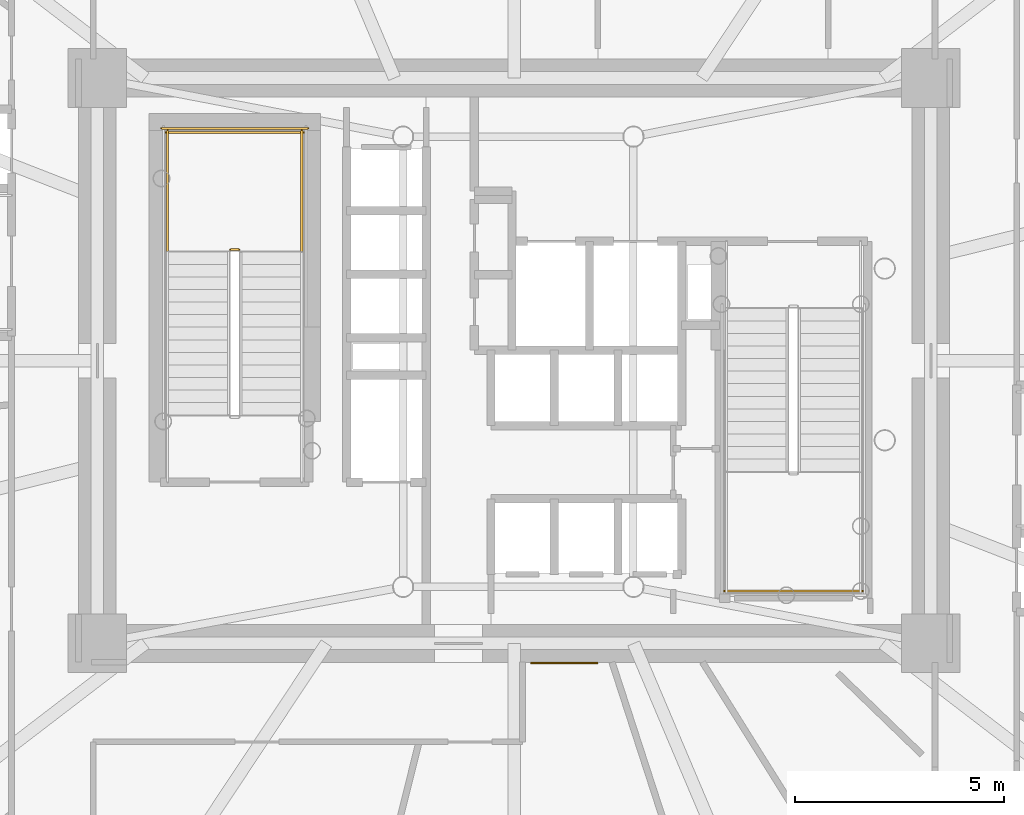
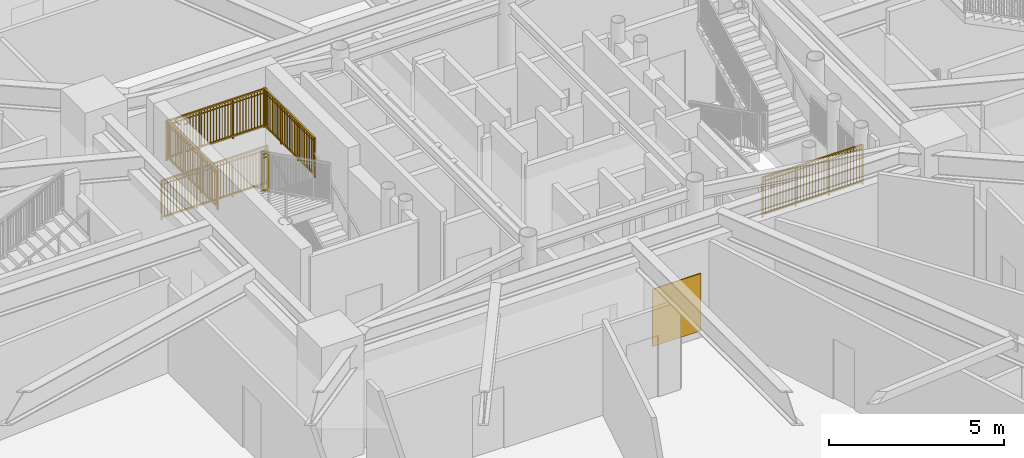
# One storey, part 24 of 30: 6 railings, 1 covering.
"""IFC4 building model written with IfcOpenShell, lengths in metres."""

from ifc_helpers import new_model, si_unit, direction, frame, origin, origin_2d, place, context, subcontext, project, spatial, rectangle, extrude, source, transform, mapped, material, layer, layer_set, type_object, element, save


model = new_model("IFC4")

# Units and contexts
model_context = context("Model", 3, precision=1e-05, world=origin(), true_north=direction((0.0, 1.0)))
body_context = subcontext(model_context, "Body", "Model", "MODEL_VIEW")
ifc_project = project(units=[si_unit("LENGTHUNIT", "METRE"), si_unit("AREAUNIT", "SQUARE_METRE"), si_unit("VOLUMEUNIT", "CUBIC_METRE"), si_unit("PLANEANGLEUNIT", "RADIAN"), si_unit("MASSUNIT", "GRAM", prefix="KILO")], contexts=[model_context])

# Site, building, storey
site_placement = place(None, origin())
site = spatial("IfcSite", under=ifc_project, at=site_placement, CompositionType="ELEMENT")
building_placement = place(site_placement, origin())
building = spatial("IfcBuilding", under=site, at=building_placement, Name="Linh Dai School and Residence Tower", CompositionType="ELEMENT")
storey_placement = place(building_placement, frame((0.0, 0.0, 10.199951171875)))
storey = spatial("IfcBuildingStorey", under=building, at=storey_placement, Name="L02", CompositionType="ELEMENT", Elevation=10.199951171875)

# Railings
ifc_material_1 = material(Name="Structural Steel S355JR", Category="steel")
railing_type = type_object("IfcRailingType", Name="RL-ST-GUARD-1400", PredefinedType="GUARDRAIL", material=ifc_material_1)
shared_shape_1 = source(origin(), body_context, "Body", "SweptSolid", [
    extrude(rectangle(XDim=0.048095703125, YDim=0.048095703125, at=origin_2d()), frame((0.0, 0.0, 1.3759765625), z_axis=(-1.0, 0.0, 0.0), x_axis=(0.0, -1.0, 0.0)), (0.0, 0.0, 1.0), 0.199951171875),
    extrude(rectangle(XDim=0.048095703125, YDim=0.048095703125, at=origin_2d()), frame((0.0, 0.0, 0.10009765625), z_axis=(-1.0, 0.0, 0.0), x_axis=(0.0, -1.0, 0.0)), (0.0, 0.0, 1.0), 0.199951171875),
    extrude(rectangle(XDim=0.030029296875, YDim=0.030029296875, at=origin_2d()), frame((0.0, 0.0, 1.239990234375), z_axis=(-1.0, 0.0, 0.0), x_axis=(0.0, -1.0, 0.0)), (0.0, 0.0, 1.0), 0.199951171875),
    extrude(rectangle(XDim=0.0419921875, YDim=0.0419921875, at=origin_2d()), origin(), (0.0, 0.0, 1.0), 1.3759765625),
    extrude(rectangle(XDim=0.0419921875, YDim=0.0419921875, at=origin_2d()), frame((-0.199951171875, 0.0, 0.0)), (0.0, 0.0, 1.0), 1.3759765625),
])
railing_1_placement = place(storey_placement, frame((29.429931640625, 29.64990234375, 2.10009765625)))
element("IfcRailing", 1, at=railing_1_placement, inside=storey, type_object=railing_type, Name="L02 ST1 stair guard 2", PredefinedType="GUARDRAIL", context=body_context, shape_type="MappedRepresentation", body=[
    mapped(shared_shape_1, transform((0.0, 0.0, 0.0), x_axis=(1.0, 0.0, 0.0), y_axis=(0.0, 1.0, 0.0), z_axis=(0.0, 0.0, 1.0), scale=1.0)),
])
shared_shape_2 = source(origin(), body_context, "Body", "SweptSolid", [
    extrude(rectangle(XDim=0.048095703125, YDim=0.048095703125, at=origin_2d()), frame((0.0, 0.0, 1.3759765625), z_axis=(-1.0, 0.0, 0.0), x_axis=(0.0, -1.0, 0.0)), (0.0, 0.0, 1.0), 3.300048828125),
    extrude(rectangle(XDim=0.048095703125, YDim=0.048095703125, at=origin_2d()), frame((0.0, 0.0, 0.10009765625), z_axis=(-1.0, 0.0, 0.0), x_axis=(0.0, -1.0, 0.0)), (0.0, 0.0, 1.0), 3.300048828125),
    extrude(rectangle(XDim=0.030029296875, YDim=0.030029296875, at=origin_2d()), frame((0.0, 0.0, 1.239990234375), z_axis=(-1.0, 0.0, 0.0), x_axis=(0.0, -1.0, 0.0)), (0.0, 0.0, 1.0), 3.300048828125),
    extrude(rectangle(XDim=0.02001953125, YDim=0.02001953125, at=origin_2d()), frame((-0.09716796875, 0.0, 0.10009765625)), (0.0, 0.0, 1.0), 1.251708984375),
    extrude(rectangle(XDim=0.02001953125, YDim=0.02001953125, at=origin_2d()), frame((-0.194091796875, 0.0, 0.10009765625)), (0.0, 0.0, 1.0), 1.251708984375),
    extrude(rectangle(XDim=0.02001953125, YDim=0.02001953125, at=origin_2d()), frame((-0.291259765625, 0.0, 0.10009765625)), (0.0, 0.0, 1.0), 1.251708984375),
    extrude(rectangle(XDim=0.02001953125, YDim=0.02001953125, at=origin_2d()), frame((-0.38818359375, 0.0, 0.10009765625)), (0.0, 0.0, 1.0), 1.251708984375),
    extrude(rectangle(XDim=0.02001953125, YDim=0.02001953125, at=origin_2d()), frame((-0.4853515625, 0.0, 0.10009765625)), (0.0, 0.0, 1.0), 1.251708984375),
    extrude(rectangle(XDim=0.02001953125, YDim=0.02001953125, at=origin_2d()), frame((-0.582275390625, 0.0, 0.10009765625)), (0.0, 0.0, 1.0), 1.251708984375),
    extrude(rectangle(XDim=0.02001953125, YDim=0.02001953125, at=origin_2d()), frame((-0.679443359375, 0.0, 0.10009765625)), (0.0, 0.0, 1.0), 1.251708984375),
    extrude(rectangle(XDim=0.02001953125, YDim=0.02001953125, at=origin_2d()), frame((-0.7763671875, 0.0, 0.10009765625)), (0.0, 0.0, 1.0), 1.251708984375),
    extrude(rectangle(XDim=0.02001953125, YDim=0.02001953125, at=origin_2d()), frame((-0.87353515625, 0.0, 0.10009765625)), (0.0, 0.0, 1.0), 1.251708984375),
    extrude(rectangle(XDim=0.02001953125, YDim=0.02001953125, at=origin_2d()), frame((-0.970703125, 0.0, 0.10009765625)), (0.0, 0.0, 1.0), 1.251708984375),
    extrude(rectangle(XDim=0.02001953125, YDim=0.02001953125, at=origin_2d()), frame((-1.164794921875, 0.0, 0.10009765625)), (0.0, 0.0, 1.0), 1.251708984375),
    extrude(rectangle(XDim=0.02001953125, YDim=0.02001953125, at=origin_2d()), frame((-1.26171875, 0.0, 0.10009765625)), (0.0, 0.0, 1.0), 1.251708984375),
    extrude(rectangle(XDim=0.02001953125, YDim=0.02001953125, at=origin_2d()), frame((-1.35888671875, 0.0, 0.10009765625)), (0.0, 0.0, 1.0), 1.251708984375),
    extrude(rectangle(XDim=0.02001953125, YDim=0.02001953125, at=origin_2d()), frame((-1.455810546875, 0.0, 0.10009765625)), (0.0, 0.0, 1.0), 1.251708984375),
    extrude(rectangle(XDim=0.02001953125, YDim=0.02001953125, at=origin_2d()), frame((-1.552978515625, 0.0, 0.10009765625)), (0.0, 0.0, 1.0), 1.251708984375),
    extrude(rectangle(XDim=0.02001953125, YDim=0.02001953125, at=origin_2d()), frame((-1.64990234375, 0.0, 0.10009765625)), (0.0, 0.0, 1.0), 1.251708984375),
    extrude(rectangle(XDim=0.02001953125, YDim=0.02001953125, at=origin_2d()), frame((-1.7470703125, 0.0, 0.10009765625)), (0.0, 0.0, 1.0), 1.251708984375),
    extrude(rectangle(XDim=0.02001953125, YDim=0.02001953125, at=origin_2d()), frame((-1.84423828125, 0.0, 0.10009765625)), (0.0, 0.0, 1.0), 1.251708984375),
    extrude(rectangle(XDim=0.02001953125, YDim=0.02001953125, at=origin_2d()), frame((-1.941162109375, 0.0, 0.10009765625)), (0.0, 0.0, 1.0), 1.251708984375),
    extrude(rectangle(XDim=0.02001953125, YDim=0.02001953125, at=origin_2d()), frame((-2.038330078125, 0.0, 0.10009765625)), (0.0, 0.0, 1.0), 1.251708984375),
    extrude(rectangle(XDim=0.02001953125, YDim=0.02001953125, at=origin_2d()), frame((-2.13525390625, 0.0, 0.10009765625)), (0.0, 0.0, 1.0), 1.251708984375),
    extrude(rectangle(XDim=0.02001953125, YDim=0.02001953125, at=origin_2d()), frame((-2.329345703125, 0.0, 0.10009765625)), (0.0, 0.0, 1.0), 1.251708984375),
    extrude(rectangle(XDim=0.02001953125, YDim=0.02001953125, at=origin_2d()), frame((-2.426513671875, 0.0, 0.10009765625)), (0.0, 0.0, 1.0), 1.251708984375),
    extrude(rectangle(XDim=0.02001953125, YDim=0.02001953125, at=origin_2d()), frame((-2.523681640625, 0.0, 0.10009765625)), (0.0, 0.0, 1.0), 1.251708984375),
    extrude(rectangle(XDim=0.02001953125, YDim=0.02001953125, at=origin_2d()), frame((-2.62060546875, 0.0, 0.10009765625)), (0.0, 0.0, 1.0), 1.251708984375),
    extrude(rectangle(XDim=0.02001953125, YDim=0.02001953125, at=origin_2d()), frame((-2.7177734375, 0.0, 0.10009765625)), (0.0, 0.0, 1.0), 1.251708984375),
    extrude(rectangle(XDim=0.02001953125, YDim=0.02001953125, at=origin_2d()), frame((-2.814697265625, 0.0, 0.10009765625)), (0.0, 0.0, 1.0), 1.251708984375),
    extrude(rectangle(XDim=0.02001953125, YDim=0.02001953125, at=origin_2d()), frame((-2.911865234375, 0.0, 0.10009765625)), (0.0, 0.0, 1.0), 1.251708984375),
    extrude(rectangle(XDim=0.02001953125, YDim=0.02001953125, at=origin_2d()), frame((-3.0087890625, 0.0, 0.10009765625)), (0.0, 0.0, 1.0), 1.251708984375),
    extrude(rectangle(XDim=0.02001953125, YDim=0.02001953125, at=origin_2d()), frame((-3.10595703125, 0.0, 0.10009765625)), (0.0, 0.0, 1.0), 1.251708984375),
    extrude(rectangle(XDim=0.02001953125, YDim=0.02001953125, at=origin_2d()), frame((-3.202880859375, 0.0, 0.10009765625)), (0.0, 0.0, 1.0), 1.251708984375),
    extrude(rectangle(XDim=0.0419921875, YDim=0.0419921875, at=origin_2d()), origin(), (0.0, 0.0, 1.0), 1.3759765625),
    extrude(rectangle(XDim=0.0419921875, YDim=0.0419921875, at=origin_2d()), frame((-1.10009765625, 0.0, 0.0)), (0.0, 0.0, 1.0), 1.3759765625),
    extrude(rectangle(XDim=0.0419921875, YDim=0.0419921875, at=origin_2d()), frame((-2.199951171875, 0.0, 0.0)), (0.0, 0.0, 1.0), 1.3759765625),
    extrude(rectangle(XDim=0.0419921875, YDim=0.0419921875, at=origin_2d()), frame((-3.300048828125, 0.0, 0.0)), (0.0, 0.0, 1.0), 1.3759765625),
])
railing_2_placement = place(storey_placement, frame((30.97998046875, 32.449951171875, 2.10009765625)))
element("IfcRailing", 2, at=railing_2_placement, inside=storey, type_object=railing_type, Name="L02 ST1 stair guard 5", PredefinedType="GUARDRAIL", context=body_context, shape_type="MappedRepresentation", body=[
    mapped(shared_shape_2, transform((0.0, 0.0, 0.0), x_axis=(1.0, 0.0, 0.0), y_axis=(0.0, 1.0, 0.0), z_axis=(0.0, 0.0, 1.0), scale=1.0)),
])
shared_shape_3 = source(origin(), body_context, "Body", "SweptSolid", [
    extrude(rectangle(XDim=0.048095703125, YDim=0.048095703125, at=origin_2d()), frame((0.0, 0.0, 1.3759765625), z_axis=(-1.0, 0.0, 0.0), x_axis=(0.0, -1.0, 0.0)), (0.0, 0.0, 1.0), 3.5),
    extrude(rectangle(XDim=0.048095703125, YDim=0.048095703125, at=origin_2d()), frame((0.0, 0.0, 0.10009765625), z_axis=(-1.0, 0.0, 0.0), x_axis=(0.0, -1.0, 0.0)), (0.0, 0.0, 1.0), 3.5),
    extrude(rectangle(XDim=0.030029296875, YDim=0.030029296875, at=origin_2d()), frame((0.0, 0.0, 1.239990234375), z_axis=(-1.0, 0.0, 0.0), x_axis=(0.0, -1.0, 0.0)), (0.0, 0.0, 1.0), 3.5),
    extrude(rectangle(XDim=0.02001953125, YDim=0.02001953125, at=origin_2d()), frame((-0.09716796875, 0.0, 0.10009765625)), (0.0, 0.0, 1.0), 1.251708984375),
    extrude(rectangle(XDim=0.02001953125, YDim=0.02001953125, at=origin_2d()), frame((-0.1943359375, 0.0, 0.10009765625)), (0.0, 0.0, 1.0), 1.251708984375),
    extrude(rectangle(XDim=0.02001953125, YDim=0.02001953125, at=origin_2d()), frame((-0.291748046875, 0.0, 0.10009765625)), (0.0, 0.0, 1.0), 1.251708984375),
    extrude(rectangle(XDim=0.02001953125, YDim=0.02001953125, at=origin_2d()), frame((-0.388916015625, 0.0, 0.10009765625)), (0.0, 0.0, 1.0), 1.251708984375),
    extrude(rectangle(XDim=0.02001953125, YDim=0.02001953125, at=origin_2d()), frame((-0.486083984375, 0.0, 0.10009765625)), (0.0, 0.0, 1.0), 1.251708984375),
    extrude(rectangle(XDim=0.02001953125, YDim=0.02001953125, at=origin_2d()), frame((-0.583251953125, 0.0, 0.10009765625)), (0.0, 0.0, 1.0), 1.251708984375),
    extrude(rectangle(XDim=0.02001953125, YDim=0.02001953125, at=origin_2d()), frame((-0.6806640625, 0.0, 0.10009765625)), (0.0, 0.0, 1.0), 1.251708984375),
    extrude(rectangle(XDim=0.02001953125, YDim=0.02001953125, at=origin_2d()), frame((-0.77783203125, 0.0, 0.10009765625)), (0.0, 0.0, 1.0), 1.251708984375),
    extrude(rectangle(XDim=0.02001953125, YDim=0.02001953125, at=origin_2d()), frame((-0.875, 0.0, 0.10009765625)), (0.0, 0.0, 1.0), 1.251708984375),
    extrude(rectangle(XDim=0.02001953125, YDim=0.02001953125, at=origin_2d()), frame((-0.97216796875, 0.0, 0.10009765625)), (0.0, 0.0, 1.0), 1.251708984375),
    extrude(rectangle(XDim=0.02001953125, YDim=0.02001953125, at=origin_2d()), frame((-1.0693359375, 0.0, 0.10009765625)), (0.0, 0.0, 1.0), 1.251708984375),
    extrude(rectangle(XDim=0.02001953125, YDim=0.02001953125, at=origin_2d()), frame((-1.263916015625, 0.0, 0.10009765625)), (0.0, 0.0, 1.0), 1.251708984375),
    extrude(rectangle(XDim=0.02001953125, YDim=0.02001953125, at=origin_2d()), frame((-1.361083984375, 0.0, 0.10009765625)), (0.0, 0.0, 1.0), 1.251708984375),
    extrude(rectangle(XDim=0.02001953125, YDim=0.02001953125, at=origin_2d()), frame((-1.458251953125, 0.0, 0.10009765625)), (0.0, 0.0, 1.0), 1.251708984375),
    extrude(rectangle(XDim=0.02001953125, YDim=0.02001953125, at=origin_2d()), frame((-1.5556640625, 0.0, 0.10009765625)), (0.0, 0.0, 1.0), 1.251708984375),
    extrude(rectangle(XDim=0.02001953125, YDim=0.02001953125, at=origin_2d()), frame((-1.65283203125, 0.0, 0.10009765625)), (0.0, 0.0, 1.0), 1.251708984375),
    extrude(rectangle(XDim=0.02001953125, YDim=0.02001953125, at=origin_2d()), frame((-1.75, 0.0, 0.10009765625)), (0.0, 0.0, 1.0), 1.251708984375),
    extrude(rectangle(XDim=0.02001953125, YDim=0.02001953125, at=origin_2d()), frame((-1.84716796875, 0.0, 0.10009765625)), (0.0, 0.0, 1.0), 1.251708984375),
    extrude(rectangle(XDim=0.02001953125, YDim=0.02001953125, at=origin_2d()), frame((-1.9443359375, 0.0, 0.10009765625)), (0.0, 0.0, 1.0), 1.251708984375),
    extrude(rectangle(XDim=0.02001953125, YDim=0.02001953125, at=origin_2d()), frame((-2.041748046875, 0.0, 0.10009765625)), (0.0, 0.0, 1.0), 1.251708984375),
    extrude(rectangle(XDim=0.02001953125, YDim=0.02001953125, at=origin_2d()), frame((-2.138916015625, 0.0, 0.10009765625)), (0.0, 0.0, 1.0), 1.251708984375),
    extrude(rectangle(XDim=0.02001953125, YDim=0.02001953125, at=origin_2d()), frame((-2.236083984375, 0.0, 0.10009765625)), (0.0, 0.0, 1.0), 1.251708984375),
    extrude(rectangle(XDim=0.02001953125, YDim=0.02001953125, at=origin_2d()), frame((-2.4306640625, 0.0, 0.10009765625)), (0.0, 0.0, 1.0), 1.251708984375),
    extrude(rectangle(XDim=0.02001953125, YDim=0.02001953125, at=origin_2d()), frame((-2.52783203125, 0.0, 0.10009765625)), (0.0, 0.0, 1.0), 1.251708984375),
    extrude(rectangle(XDim=0.02001953125, YDim=0.02001953125, at=origin_2d()), frame((-2.625, 0.0, 0.10009765625)), (0.0, 0.0, 1.0), 1.251708984375),
    extrude(rectangle(XDim=0.02001953125, YDim=0.02001953125, at=origin_2d()), frame((-2.72216796875, 0.0, 0.10009765625)), (0.0, 0.0, 1.0), 1.251708984375),
    extrude(rectangle(XDim=0.02001953125, YDim=0.02001953125, at=origin_2d()), frame((-2.8193359375, 0.0, 0.10009765625)), (0.0, 0.0, 1.0), 1.251708984375),
    extrude(rectangle(XDim=0.02001953125, YDim=0.02001953125, at=origin_2d()), frame((-2.916748046875, 0.0, 0.10009765625)), (0.0, 0.0, 1.0), 1.251708984375),
    extrude(rectangle(XDim=0.02001953125, YDim=0.02001953125, at=origin_2d()), frame((-3.013916015625, 0.0, 0.10009765625)), (0.0, 0.0, 1.0), 1.251708984375),
    extrude(rectangle(XDim=0.02001953125, YDim=0.02001953125, at=origin_2d()), frame((-3.111083984375, 0.0, 0.10009765625)), (0.0, 0.0, 1.0), 1.251708984375),
    extrude(rectangle(XDim=0.02001953125, YDim=0.02001953125, at=origin_2d()), frame((-3.208251953125, 0.0, 0.10009765625)), (0.0, 0.0, 1.0), 1.251708984375),
    extrude(rectangle(XDim=0.02001953125, YDim=0.02001953125, at=origin_2d()), frame((-3.3056640625, 0.0, 0.10009765625)), (0.0, 0.0, 1.0), 1.251708984375),
    extrude(rectangle(XDim=0.02001953125, YDim=0.02001953125, at=origin_2d()), frame((-3.40283203125, 0.0, 0.10009765625)), (0.0, 0.0, 1.0), 1.251708984375),
    extrude(rectangle(XDim=0.0419921875, YDim=0.0419921875, at=origin_2d()), origin(), (0.0, 0.0, 1.0), 1.3759765625),
    extrude(rectangle(XDim=0.0419921875, YDim=0.0419921875, at=origin_2d()), frame((-1.166748046875, 0.0, 0.0)), (0.0, 0.0, 1.0), 1.3759765625),
    extrude(rectangle(XDim=0.0419921875, YDim=0.0419921875, at=origin_2d()), frame((-2.333251953125, 0.0, 0.0)), (0.0, 0.0, 1.0), 1.3759765625),
    extrude(rectangle(XDim=0.0419921875, YDim=0.0419921875, at=origin_2d()), frame((-3.5, 0.0, 0.0)), (0.0, 0.0, 1.0), 1.3759765625),
])
railing_3_placement = place(storey_placement, frame((31.080078125, 32.550048828125, 0.0)))
element("IfcRailing", 3, at=railing_3_placement, inside=storey, type_object=railing_type, Name="L02 ST1 stair guard 12", PredefinedType="GUARDRAIL", context=body_context, shape_type="MappedRepresentation", body=[
    mapped(shared_shape_3, transform((0.0, 0.0, 0.0), x_axis=(1.0, 0.0, 0.0), y_axis=(0.0, 1.0, 0.0), z_axis=(0.0, 0.0, 1.0), scale=1.0)),
])
shared_shape_4 = source(origin(), body_context, "Body", "SweptSolid", [
    extrude(rectangle(XDim=0.048095703125, YDim=0.048095703125, at=origin_2d()), frame((0.0, 0.0, 1.3759765625), z_axis=(0.0, 1.0, 0.0), x_axis=(-1.0, 0.0, 0.0)), (0.0, 0.0, 1.0), 2.89990234375),
    extrude(rectangle(XDim=0.048095703125, YDim=0.048095703125, at=origin_2d()), frame((0.0, 0.0, 0.10009765625), z_axis=(0.0, 1.0, 0.0), x_axis=(-1.0, 0.0, 0.0)), (0.0, 0.0, 1.0), 2.89990234375),
    extrude(rectangle(XDim=0.030029296875, YDim=0.030029296875, at=origin_2d()), frame((0.0, 0.0, 1.239990234375), z_axis=(0.0, 1.0, 0.0), x_axis=(-1.0, 0.0, 0.0)), (0.0, 0.0, 1.0), 2.89990234375),
    extrude(rectangle(XDim=0.02001953125, YDim=0.02001953125, at=origin_2d()), frame((0.0, 0.0966796875, 0.10009765625)), (0.0, 0.0, 1.0), 1.251708984375),
    extrude(rectangle(XDim=0.02001953125, YDim=0.02001953125, at=origin_2d()), frame((0.0, 0.193359375, 0.10009765625)), (0.0, 0.0, 1.0), 1.251708984375),
    extrude(rectangle(XDim=0.02001953125, YDim=0.02001953125, at=origin_2d()), frame((0.0, 0.2900390625, 0.10009765625)), (0.0, 0.0, 1.0), 1.251708984375),
    extrude(rectangle(XDim=0.02001953125, YDim=0.02001953125, at=origin_2d()), frame((0.0, 0.38671875, 0.10009765625)), (0.0, 0.0, 1.0), 1.251708984375),
    extrude(rectangle(XDim=0.02001953125, YDim=0.02001953125, at=origin_2d()), frame((0.0, 0.4833984375, 0.10009765625)), (0.0, 0.0, 1.0), 1.251708984375),
    extrude(rectangle(XDim=0.02001953125, YDim=0.02001953125, at=origin_2d()), frame((0.0, 0.580078125, 0.10009765625)), (0.0, 0.0, 1.0), 1.251708984375),
    extrude(rectangle(XDim=0.02001953125, YDim=0.02001953125, at=origin_2d()), frame((0.0, 0.6767578125, 0.10009765625)), (0.0, 0.0, 1.0), 1.251708984375),
    extrude(rectangle(XDim=0.02001953125, YDim=0.02001953125, at=origin_2d()), frame((0.0, 0.773193359375, 0.10009765625)), (0.0, 0.0, 1.0), 1.251708984375),
    extrude(rectangle(XDim=0.02001953125, YDim=0.02001953125, at=origin_2d()), frame((0.0, 0.869873046875, 0.10009765625)), (0.0, 0.0, 1.0), 1.251708984375),
    extrude(rectangle(XDim=0.02001953125, YDim=0.02001953125, at=origin_2d()), frame((0.0, 1.063232421875, 0.10009765625)), (0.0, 0.0, 1.0), 1.251708984375),
    extrude(rectangle(XDim=0.02001953125, YDim=0.02001953125, at=origin_2d()), frame((0.0, 1.159912109375, 0.10009765625)), (0.0, 0.0, 1.0), 1.251708984375),
    extrude(rectangle(XDim=0.02001953125, YDim=0.02001953125, at=origin_2d()), frame((0.0, 1.256591796875, 0.10009765625)), (0.0, 0.0, 1.0), 1.251708984375),
    extrude(rectangle(XDim=0.02001953125, YDim=0.02001953125, at=origin_2d()), frame((0.0, 1.353271484375, 0.10009765625)), (0.0, 0.0, 1.0), 1.251708984375),
    extrude(rectangle(XDim=0.02001953125, YDim=0.02001953125, at=origin_2d()), frame((0.0, 1.449951171875, 0.10009765625)), (0.0, 0.0, 1.0), 1.251708984375),
    extrude(rectangle(XDim=0.02001953125, YDim=0.02001953125, at=origin_2d()), frame((0.0, 1.546630859375, 0.10009765625)), (0.0, 0.0, 1.0), 1.251708984375),
    extrude(rectangle(XDim=0.02001953125, YDim=0.02001953125, at=origin_2d()), frame((0.0, 1.643310546875, 0.10009765625)), (0.0, 0.0, 1.0), 1.251708984375),
    extrude(rectangle(XDim=0.02001953125, YDim=0.02001953125, at=origin_2d()), frame((0.0, 1.739990234375, 0.10009765625)), (0.0, 0.0, 1.0), 1.251708984375),
    extrude(rectangle(XDim=0.02001953125, YDim=0.02001953125, at=origin_2d()), frame((0.0, 1.836669921875, 0.10009765625)), (0.0, 0.0, 1.0), 1.251708984375),
    extrude(rectangle(XDim=0.02001953125, YDim=0.02001953125, at=origin_2d()), frame((0.0, 2.030029296875, 0.10009765625)), (0.0, 0.0, 1.0), 1.251708984375),
    extrude(rectangle(XDim=0.02001953125, YDim=0.02001953125, at=origin_2d()), frame((0.0, 2.126708984375, 0.10009765625)), (0.0, 0.0, 1.0), 1.251708984375),
    extrude(rectangle(XDim=0.02001953125, YDim=0.02001953125, at=origin_2d()), frame((0.0, 2.22314453125, 0.10009765625)), (0.0, 0.0, 1.0), 1.251708984375),
    extrude(rectangle(XDim=0.02001953125, YDim=0.02001953125, at=origin_2d()), frame((0.0, 2.31982421875, 0.10009765625)), (0.0, 0.0, 1.0), 1.251708984375),
    extrude(rectangle(XDim=0.02001953125, YDim=0.02001953125, at=origin_2d()), frame((0.0, 2.41650390625, 0.10009765625)), (0.0, 0.0, 1.0), 1.251708984375),
    extrude(rectangle(XDim=0.02001953125, YDim=0.02001953125, at=origin_2d()), frame((0.0, 2.51318359375, 0.10009765625)), (0.0, 0.0, 1.0), 1.251708984375),
    extrude(rectangle(XDim=0.02001953125, YDim=0.02001953125, at=origin_2d()), frame((0.0, 2.60986328125, 0.10009765625)), (0.0, 0.0, 1.0), 1.251708984375),
    extrude(rectangle(XDim=0.02001953125, YDim=0.02001953125, at=origin_2d()), frame((0.0, 2.70654296875, 0.10009765625)), (0.0, 0.0, 1.0), 1.251708984375),
    extrude(rectangle(XDim=0.02001953125, YDim=0.02001953125, at=origin_2d()), frame((0.0, 2.80322265625, 0.10009765625)), (0.0, 0.0, 1.0), 1.251708984375),
    extrude(rectangle(XDim=0.0419921875, YDim=0.0419921875, at=origin_2d()), origin(), (0.0, 0.0, 1.0), 1.3759765625),
    extrude(rectangle(XDim=0.0419921875, YDim=0.0419921875, at=origin_2d()), frame((0.0, 0.966552734375, 0.0)), (0.0, 0.0, 1.0), 1.3759765625),
    extrude(rectangle(XDim=0.0419921875, YDim=0.0419921875, at=origin_2d()), frame((0.0, 1.933349609375, 0.0)), (0.0, 0.0, 1.0), 1.3759765625),
    extrude(rectangle(XDim=0.0419921875, YDim=0.0419921875, at=origin_2d()), frame((0.0, 2.89990234375, 0.0)), (0.0, 0.0, 1.0), 1.3759765625),
])
for number, where, name in (
    (4, (30.929931640625, 29.60009765625, 2.10009765625), "L02 ST1 stair guard 3"),
    (5, (27.72998046875, 29.60009765625, 2.10009765625), "L02 ST1 stair guard 4"),
):
    element("IfcRailing", number, at=place(storey_placement, frame(where)), inside=storey, type_object=railing_type, Name=name, PredefinedType="GUARDRAIL", context=body_context, shape_type="MappedRepresentation", body=[
        mapped(shared_shape_4, transform((0.0, 0.0, 0.0), x_axis=(1.0, 0.0, 0.0), y_axis=(0.0, 1.0, 0.0), z_axis=(0.0, 0.0, 1.0), scale=1.0)),
    ])
shared_shape_5 = source(origin(), body_context, "Body", "SweptSolid", [
    extrude(rectangle(XDim=0.048095703125, YDim=0.048095703125, at=origin_2d()), frame((0.0, 0.0, 1.3759765625), z_axis=(1.0, 0.0, 0.0), x_axis=(0.0, 1.0, 0.0)), (0.0, 0.0, 1.0), 3.300048828125),
    extrude(rectangle(XDim=0.048095703125, YDim=0.048095703125, at=origin_2d()), frame((0.0, 0.0, 0.10009765625), z_axis=(1.0, 0.0, 0.0), x_axis=(0.0, 1.0, 0.0)), (0.0, 0.0, 1.0), 3.300048828125),
    extrude(rectangle(XDim=0.030029296875, YDim=0.030029296875, at=origin_2d()), frame((0.0, 0.0, 1.239990234375), z_axis=(1.0, 0.0, 0.0), x_axis=(0.0, 1.0, 0.0)), (0.0, 0.0, 1.0), 3.300048828125),
    extrude(rectangle(XDim=0.02001953125, YDim=0.02001953125, at=origin_2d()), frame((0.09716796875, 0.0, 0.10009765625)), (0.0, 0.0, 1.0), 1.251708984375),
    extrude(rectangle(XDim=0.02001953125, YDim=0.02001953125, at=origin_2d()), frame((0.194091796875, 0.0, 0.10009765625)), (0.0, 0.0, 1.0), 1.251708984375),
    extrude(rectangle(XDim=0.02001953125, YDim=0.02001953125, at=origin_2d()), frame((0.291259765625, 0.0, 0.10009765625)), (0.0, 0.0, 1.0), 1.251708984375),
    extrude(rectangle(XDim=0.02001953125, YDim=0.02001953125, at=origin_2d()), frame((0.38818359375, 0.0, 0.10009765625)), (0.0, 0.0, 1.0), 1.251708984375),
    extrude(rectangle(XDim=0.02001953125, YDim=0.02001953125, at=origin_2d()), frame((0.4853515625, 0.0, 0.10009765625)), (0.0, 0.0, 1.0), 1.251708984375),
    extrude(rectangle(XDim=0.02001953125, YDim=0.02001953125, at=origin_2d()), frame((0.582275390625, 0.0, 0.10009765625)), (0.0, 0.0, 1.0), 1.251708984375),
    extrude(rectangle(XDim=0.02001953125, YDim=0.02001953125, at=origin_2d()), frame((0.679443359375, 0.0, 0.10009765625)), (0.0, 0.0, 1.0), 1.251708984375),
    extrude(rectangle(XDim=0.02001953125, YDim=0.02001953125, at=origin_2d()), frame((0.7763671875, 0.0, 0.10009765625)), (0.0, 0.0, 1.0), 1.251708984375),
    extrude(rectangle(XDim=0.02001953125, YDim=0.02001953125, at=origin_2d()), frame((0.87353515625, 0.0, 0.10009765625)), (0.0, 0.0, 1.0), 1.251708984375),
    extrude(rectangle(XDim=0.02001953125, YDim=0.02001953125, at=origin_2d()), frame((0.970703125, 0.0, 0.10009765625)), (0.0, 0.0, 1.0), 1.251708984375),
    extrude(rectangle(XDim=0.02001953125, YDim=0.02001953125, at=origin_2d()), frame((1.164794921875, 0.0, 0.10009765625)), (0.0, 0.0, 1.0), 1.251708984375),
    extrude(rectangle(XDim=0.02001953125, YDim=0.02001953125, at=origin_2d()), frame((1.26171875, 0.0, 0.10009765625)), (0.0, 0.0, 1.0), 1.251708984375),
    extrude(rectangle(XDim=0.02001953125, YDim=0.02001953125, at=origin_2d()), frame((1.35888671875, 0.0, 0.10009765625)), (0.0, 0.0, 1.0), 1.251708984375),
    extrude(rectangle(XDim=0.02001953125, YDim=0.02001953125, at=origin_2d()), frame((1.455810546875, 0.0, 0.10009765625)), (0.0, 0.0, 1.0), 1.251708984375),
    extrude(rectangle(XDim=0.02001953125, YDim=0.02001953125, at=origin_2d()), frame((1.552978515625, 0.0, 0.10009765625)), (0.0, 0.0, 1.0), 1.251708984375),
    extrude(rectangle(XDim=0.02001953125, YDim=0.02001953125, at=origin_2d()), frame((1.64990234375, 0.0, 0.10009765625)), (0.0, 0.0, 1.0), 1.251708984375),
    extrude(rectangle(XDim=0.02001953125, YDim=0.02001953125, at=origin_2d()), frame((1.7470703125, 0.0, 0.10009765625)), (0.0, 0.0, 1.0), 1.251708984375),
    extrude(rectangle(XDim=0.02001953125, YDim=0.02001953125, at=origin_2d()), frame((1.84423828125, 0.0, 0.10009765625)), (0.0, 0.0, 1.0), 1.251708984375),
    extrude(rectangle(XDim=0.02001953125, YDim=0.02001953125, at=origin_2d()), frame((1.941162109375, 0.0, 0.10009765625)), (0.0, 0.0, 1.0), 1.251708984375),
    extrude(rectangle(XDim=0.02001953125, YDim=0.02001953125, at=origin_2d()), frame((2.038330078125, 0.0, 0.10009765625)), (0.0, 0.0, 1.0), 1.251708984375),
    extrude(rectangle(XDim=0.02001953125, YDim=0.02001953125, at=origin_2d()), frame((2.13525390625, 0.0, 0.10009765625)), (0.0, 0.0, 1.0), 1.251708984375),
    extrude(rectangle(XDim=0.02001953125, YDim=0.02001953125, at=origin_2d()), frame((2.329345703125, 0.0, 0.10009765625)), (0.0, 0.0, 1.0), 1.251708984375),
    extrude(rectangle(XDim=0.02001953125, YDim=0.02001953125, at=origin_2d()), frame((2.426513671875, 0.0, 0.10009765625)), (0.0, 0.0, 1.0), 1.251708984375),
    extrude(rectangle(XDim=0.02001953125, YDim=0.02001953125, at=origin_2d()), frame((2.523681640625, 0.0, 0.10009765625)), (0.0, 0.0, 1.0), 1.251708984375),
    extrude(rectangle(XDim=0.02001953125, YDim=0.02001953125, at=origin_2d()), frame((2.62060546875, 0.0, 0.10009765625)), (0.0, 0.0, 1.0), 1.251708984375),
    extrude(rectangle(XDim=0.02001953125, YDim=0.02001953125, at=origin_2d()), frame((2.7177734375, 0.0, 0.10009765625)), (0.0, 0.0, 1.0), 1.251708984375),
    extrude(rectangle(XDim=0.02001953125, YDim=0.02001953125, at=origin_2d()), frame((2.814697265625, 0.0, 0.10009765625)), (0.0, 0.0, 1.0), 1.251708984375),
    extrude(rectangle(XDim=0.02001953125, YDim=0.02001953125, at=origin_2d()), frame((2.911865234375, 0.0, 0.10009765625)), (0.0, 0.0, 1.0), 1.251708984375),
    extrude(rectangle(XDim=0.02001953125, YDim=0.02001953125, at=origin_2d()), frame((3.0087890625, 0.0, 0.10009765625)), (0.0, 0.0, 1.0), 1.251708984375),
    extrude(rectangle(XDim=0.02001953125, YDim=0.02001953125, at=origin_2d()), frame((3.10595703125, 0.0, 0.10009765625)), (0.0, 0.0, 1.0), 1.251708984375),
    extrude(rectangle(XDim=0.02001953125, YDim=0.02001953125, at=origin_2d()), frame((3.202880859375, 0.0, 0.10009765625)), (0.0, 0.0, 1.0), 1.251708984375),
    extrude(rectangle(XDim=0.0419921875, YDim=0.0419921875, at=origin_2d()), origin(), (0.0, 0.0, 1.0), 1.3759765625),
    extrude(rectangle(XDim=0.0419921875, YDim=0.0419921875, at=origin_2d()), frame((1.10009765625, 0.0, 0.0)), (0.0, 0.0, 1.0), 1.3759765625),
    extrude(rectangle(XDim=0.0419921875, YDim=0.0419921875, at=origin_2d()), frame((2.199951171875, 0.0, 0.0)), (0.0, 0.0, 1.0), 1.3759765625),
    extrude(rectangle(XDim=0.0419921875, YDim=0.0419921875, at=origin_2d()), frame((3.300048828125, 0.0, 0.0)), (0.0, 0.0, 1.0), 1.3759765625),
])
railing_4_placement = place(storey_placement, frame((41.02001953125, 21.5, 2.10009765625)))
element("IfcRailing", 6, at=railing_4_placement, inside=storey, type_object=railing_type, Name="L02 ST2 stair guard 5", PredefinedType="GUARDRAIL", context=body_context, shape_type="MappedRepresentation", body=[
    mapped(shared_shape_5, transform((0.0, 0.0, 0.0), x_axis=(1.0, 0.0, 0.0), y_axis=(0.0, 1.0, 0.0), z_axis=(0.0, 0.0, 1.0), scale=1.0)),
])

# Covering
ifc_material_2 = material(Name="Glazed Terracotta Acoustic Feature Cladding", Category="masonry")
ifc_layer = layer(ifc_material_2, 0.030029296875)
ifc_layer_set = layer_set([ifc_layer], Name="Glazed Terracotta Acoustic Feature Cladding")
covering_type = type_object("IfcCoveringType", Name="COV-CLAD-TC-30", PredefinedType="CLADDING", material=ifc_layer_set)
shared_shape_6 = source(origin(), body_context, "Body", "SweptSolid", [
    extrude(rectangle(XDim=1.60009765625, YDim=0.030029296875, at=origin_2d()), origin(), (0.0, 0.0, 1.0), 2.0),
])
covering_placement = place(storey_placement, frame((37.199951171875, 19.784912109375, 0.25), z_axis=(0.0, 0.0, 1.0), x_axis=(1.0, 0.0, 0.0)))
element("IfcCovering", 7, at=covering_placement, inside=storey, type_object=covering_type, Name="L02 Core Lobby Terracotta Feature Cladding", PredefinedType="CLADDING", context=body_context, shape_type="MappedRepresentation", body=[
    mapped(shared_shape_6, transform((0.0, 0.0, 0.0), x_axis=(1.0, 0.0, 0.0), y_axis=(0.0, 1.0, 0.0), z_axis=(0.0, 0.0, 1.0), scale=1.0)),
])

save(model, "model.ifc")
